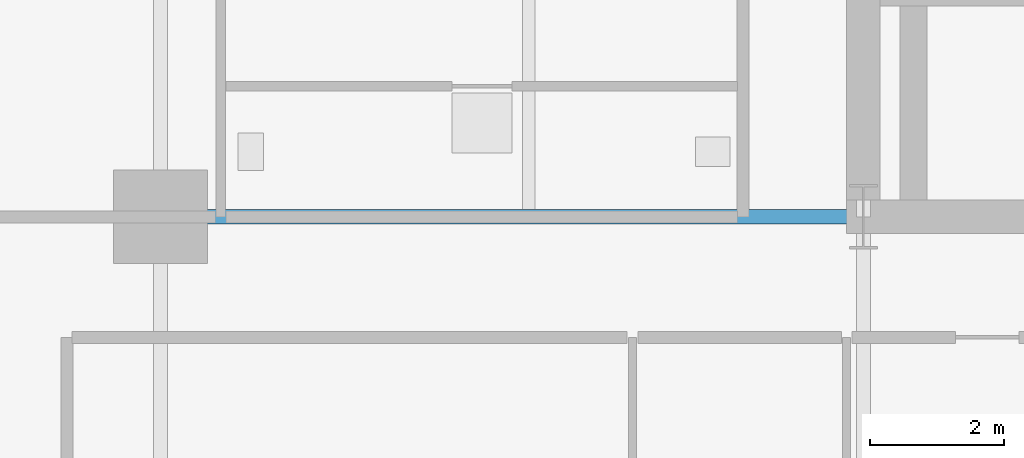
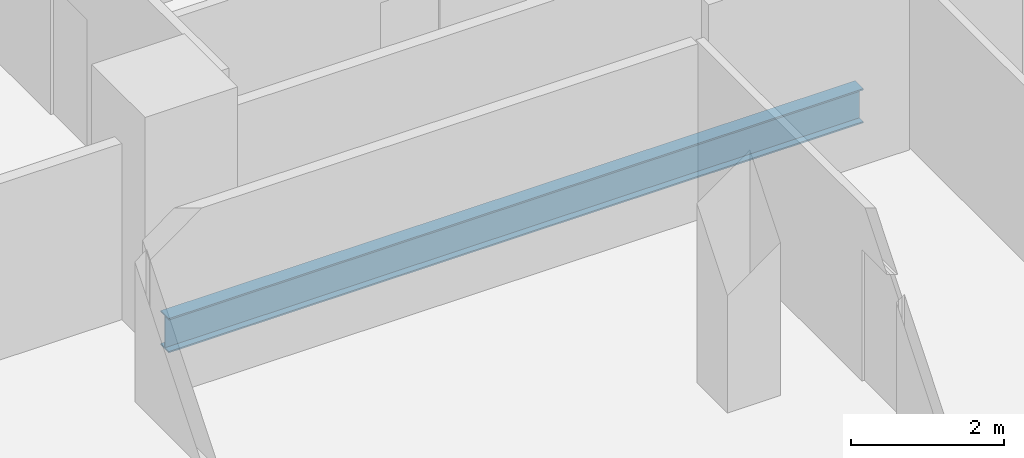
# One storey, part 7 of 27: 1 beam.
"""IFC4 building model written with IfcOpenShell, lengths in metres."""

from ifc_helpers import new_model, si_unit, direction, frame, origin, origin_2d, place, context, subcontext, project, spatial, i_section, extrude, material, material_profile, profile_set, type_object, element, save


model = new_model("IFC4")

# Units and contexts
model_context = context("Model", 3, precision=1e-05, world=origin(), true_north=direction((0.0, 1.0)))
body_context = subcontext(model_context, "Body", "Model", "MODEL_VIEW")
ifc_project = project(units=[si_unit("LENGTHUNIT", "METRE"), si_unit("AREAUNIT", "SQUARE_METRE"), si_unit("VOLUMEUNIT", "CUBIC_METRE"), si_unit("PLANEANGLEUNIT", "RADIAN"), si_unit("MASSUNIT", "GRAM", prefix="KILO")], contexts=[model_context])

# Site, building, storey
site_placement = place(None, origin())
site = spatial("IfcSite", under=ifc_project, at=site_placement, CompositionType="ELEMENT")
building_placement = place(site_placement, origin())
building = spatial("IfcBuilding", under=site, at=building_placement, Name="Barlavira Tower and Art Museum", CompositionType="ELEMENT")
storey_placement = place(building_placement, frame((0.0, 0.0, 72.0)))
storey = spatial("IfcBuildingStorey", under=building, at=storey_placement, Name="L17", CompositionType="ELEMENT", Elevation=72.0)

# Beam
ifc_material = material(Name="Steel S355", Category="steel")
ifc_material_profile = material_profile(ifc_material, i_section(OverallWidth=0.214111328125, OverallDepth=0.549072265625, WebThickness=0.0146484375, FlangeThickness=0.023681640625, at=origin_2d()), Name="W530x138.0")
ifc_profile_set = profile_set([ifc_material_profile], Name="Steel S355")
beam_type = type_object("IfcBeamType", Name="Zone 1 Primary Floor Girder W530x138 Steel S355", PredefinedType="BEAM", material=ifc_profile_set)
beam_placement = place(storey_placement, frame((-17.0, -7.5, -0.494384765625), z_axis=(1.0, 0.0, 0.0), x_axis=(0.0, 1.0, 0.0)))
element("IfcBeam", 1, at=beam_placement, inside=storey, type_object=beam_type, Name="L17 Girder R-W1", PredefinedType="BEAM", context=body_context, shape_type="SweptSolid", body=[
    extrude(i_section(OverallWidth=0.214111328125, OverallDepth=0.549072265625, WebThickness=0.0146484375, FlangeThickness=0.023681640625, at=origin_2d()), origin(), (0.0, 0.0, 1.0), 10.5),
])

save(model, "model.ifc")
